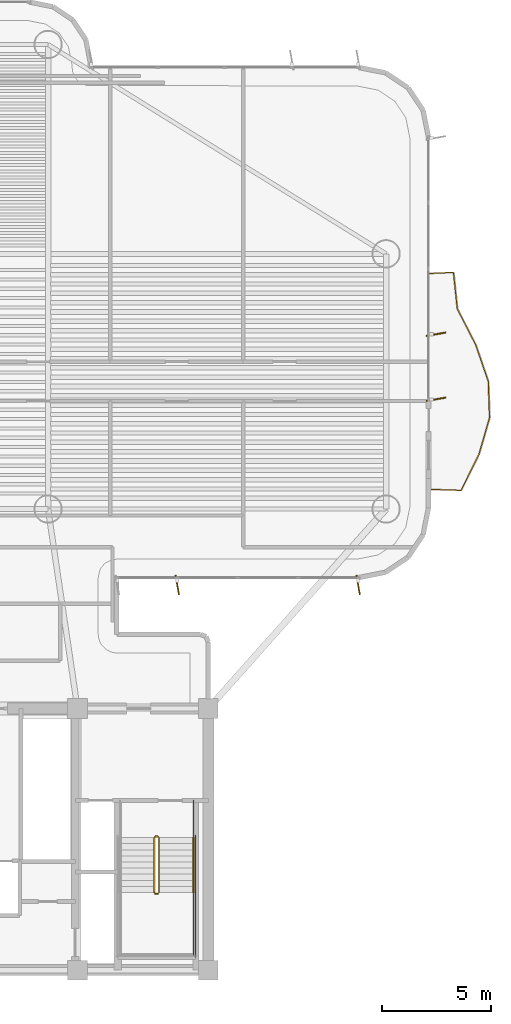
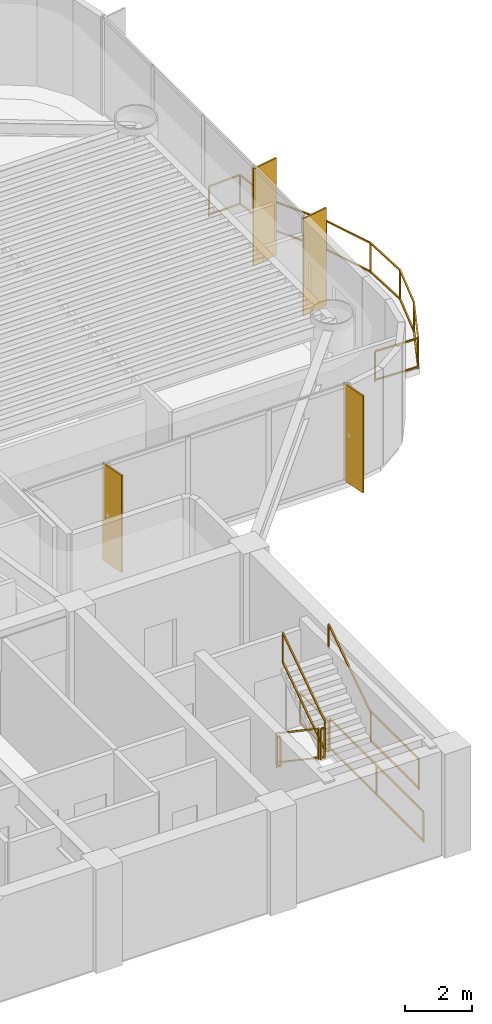
# One storey, part 15 of 16: 9 railings, 4 shading devices.
"""IFC4 building model written with IfcOpenShell, lengths in metres."""

from ifc_helpers import new_model, si_unit, direction, frame, origin, origin_2d, place, context, subcontext, project, spatial, rectangle, extrude, source, transform, mapped, material, layer, layer_set, material_profile, profile_set, type_object, element, save


model = new_model("IFC4")

# Units and contexts
model_context = context("Model", 3, precision=1e-05, world=origin(), true_north=direction((0.0, 1.0)))
body_context = subcontext(model_context, "Body", "Model", "MODEL_VIEW")
ifc_project = project(units=[si_unit("LENGTHUNIT", "METRE"), si_unit("AREAUNIT", "SQUARE_METRE"), si_unit("VOLUMEUNIT", "CUBIC_METRE"), si_unit("PLANEANGLEUNIT", "RADIAN"), si_unit("MASSUNIT", "GRAM", prefix="KILO")], contexts=[model_context])

# Site, building, storey
site_placement = place(None, origin())
site = spatial("IfcSite", under=ifc_project, at=site_placement, CompositionType="ELEMENT")
building_placement = place(site_placement, origin())
building = spatial("IfcBuilding", under=site, at=building_placement, Name="Brelvock Crest Care Tower", CompositionType="ELEMENT")
storey_placement = place(building_placement, frame((0.0, 0.0, 116.280029296875)))
storey = spatial("IfcBuildingStorey", under=building, at=storey_placement, Name="L29", CompositionType="ELEMENT", Elevation=116.280029296875)

# Railings
ifc_material_1 = material(Name="Dark Glass Double Glazed Low-E", Category="glass")
ifc_layer_1 = layer(ifc_material_1, 0.06005859375, Name="RL-BAL1")
ifc_layer_set_1 = layer_set([ifc_layer_1], Name="Dark Glass Double Glazed Low-E")
railing_type_1 = type_object("IfcRailingType", Name="RL-BAL1", PredefinedType="BALUSTRADE", material=ifc_layer_set_1)
railing_1_placement = place(storey_placement, frame((58.139892578125, 28.050048828125, 0.00390625)))
element("IfcRailing", 1, at=railing_1_placement, inside=storey, type_object=railing_type_1, Name="L29 Safety Balustrade WB-E", PredefinedType="BALUSTRADE", context=body_context, shape_type="SweptSolid", body=[
    extrude(rectangle(XDim=0.048095703125, YDim=0.048095703125, at=origin_2d()), frame((0.001953125, 0.0, 1.09619140625), z_axis=(0.999404999824, -0.034491249994, 0.0), x_axis=(0.034491249994, 0.999404999824, 0.0)), (0.0, 0.0, 1.0), 1.447021484375),
    extrude(rectangle(XDim=0.048095703125, YDim=0.048095703125, at=origin_2d()), frame((0.001953125, 0.0, 0.054931640625), z_axis=(0.999404999824, -0.034491249994, 0.0), x_axis=(0.034491249994, 0.999404999824, 0.0)), (0.0, 0.0, 1.0), 1.447021484375),
    extrude(rectangle(XDim=0.048095703125, YDim=0.048095703125, at=origin_2d()), frame((1.451171875, -0.04833984375, 1.09619140625), z_axis=(0.442214310765, 0.896909417586, 0.0), x_axis=(-0.896909417586, 0.442214310765, 0.0)), (0.0, 0.0, 1.0), 1.854248046875),
    extrude(rectangle(XDim=0.048095703125, YDim=0.048095703125, at=origin_2d()), frame((1.451171875, -0.04833984375, 0.054931640625), z_axis=(0.442214310765, 0.896909417586, 0.0), x_axis=(-0.896909417586, 0.442214310765, 0.0)), (0.0, 0.0, 1.0), 1.854248046875),
    extrude(rectangle(XDim=0.048095703125, YDim=0.048095703125, at=origin_2d()), frame((2.2724609375, 1.61865234375, 1.09619140625), z_axis=(0.277935062116, 0.960599865317, 0.0), x_axis=(-0.960599865317, 0.277935062116, 0.0)), (0.0, 0.0, 1.0), 1.73095703125),
    extrude(rectangle(XDim=0.048095703125, YDim=0.048095703125, at=origin_2d()), frame((2.2724609375, 1.61865234375, 0.054931640625), z_axis=(0.277935062116, 0.960599865317, 0.0), x_axis=(-0.960599865317, 0.277935062116, 0.0)), (0.0, 0.0, 1.0), 1.73095703125),
    extrude(rectangle(XDim=0.048095703125, YDim=0.048095703125, at=origin_2d()), frame((2.754150390625, 3.28515625, 1.09619140625), z_axis=(-0.034109333385, 0.999418107388, 0.0), x_axis=(-0.999418107388, -0.034109333385, 0.0)), (0.0, 0.0, 1.0), 1.663818359375),
    extrude(rectangle(XDim=0.048095703125, YDim=0.048095703125, at=origin_2d()), frame((2.754150390625, 3.28515625, 0.054931640625), z_axis=(-0.034109333385, 0.999418107388, 0.0), x_axis=(-0.999418107388, -0.034109333385, 0.0)), (0.0, 0.0, 1.0), 1.663818359375),
    extrude(rectangle(XDim=0.048095703125, YDim=0.048095703125, at=origin_2d()), frame((2.696533203125, 4.951904296875, 1.09619140625), z_axis=(-0.324735154132, 0.945804990297, 0.0), x_axis=(-0.945804990297, -0.324735154132, 0.0)), (0.0, 0.0, 1.0), 1.75830078125),
    extrude(rectangle(XDim=0.048095703125, YDim=0.048095703125, at=origin_2d()), frame((2.696533203125, 4.951904296875, 0.054931640625), z_axis=(-0.324735154132, 0.945804990297, 0.0), x_axis=(-0.945804990297, -0.324735154132, 0.0)), (0.0, 0.0, 1.0), 1.75830078125),
    extrude(rectangle(XDim=0.048095703125, YDim=0.048095703125, at=origin_2d()), frame((2.1240234375, 6.618408203125, 1.09619140625), z_axis=(-0.454816788854, 0.890585026023, 0.0), x_axis=(-0.890585026023, -0.454816788854, 0.0)), (0.0, 0.0, 1.0), 1.8671875),
    extrude(rectangle(XDim=0.048095703125, YDim=0.048095703125, at=origin_2d()), frame((2.1240234375, 6.618408203125, 0.054931640625), z_axis=(-0.454816788854, 0.890585026023, 0.0), x_axis=(-0.890585026023, -0.454816788854, 0.0)), (0.0, 0.0, 1.0), 1.8671875),
    extrude(rectangle(XDim=0.048095703125, YDim=0.048095703125, at=origin_2d()), frame((1.273681640625, 8.28515625, 1.09619140625), z_axis=(-0.103729188721, 0.994605577808, 0.0), x_axis=(-0.994605577808, -0.103729188721, 0.0)), (0.0, 0.0, 1.0), 1.671875),
    extrude(rectangle(XDim=0.048095703125, YDim=0.048095703125, at=origin_2d()), frame((1.273681640625, 8.28515625, 0.054931640625), z_axis=(-0.103729188721, 0.994605577808, 0.0), x_axis=(-0.994605577808, -0.103729188721, 0.0)), (0.0, 0.0, 1.0), 1.671875),
    extrude(rectangle(XDim=0.048095703125, YDim=0.048095703125, at=origin_2d()), frame((1.09814453125, 9.949951171875, 1.09619140625), z_axis=(-0.998966710972, -0.045447886318, 0.0), x_axis=(0.045447886318, -0.998966710972, 0.0)), (0.0, 0.0, 1.0), 1.09716796875),
    extrude(rectangle(XDim=0.048095703125, YDim=0.048095703125, at=origin_2d()), frame((1.09814453125, 9.949951171875, 0.054931640625), z_axis=(-0.998966710972, -0.045447886318, 0.0), x_axis=(0.045447886318, -0.998966710972, 0.0)), (0.0, 0.0, 1.0), 1.09716796875),
    extrude(rectangle(XDim=0.0419921875, YDim=0.0419921875, at=origin_2d()), origin(), (0.0, 0.0, 1.0), 1.070068359375),
    extrude(rectangle(XDim=0.0419921875, YDim=0.0419921875, at=origin_2d()), frame((1.4501953125, -0.050048828125, 0.0)), (0.0, 0.0, 1.0), 1.070068359375),
    extrude(rectangle(XDim=0.0419921875, YDim=0.0419921875, at=origin_2d()), frame((2.27197265625, 1.61669921875, 0.0)), (0.0, 0.0, 1.0), 1.070068359375),
    extrude(rectangle(XDim=0.0419921875, YDim=0.0419921875, at=origin_2d()), frame((2.754150390625, 3.283203125, 0.0)), (0.0, 0.0, 1.0), 1.070068359375),
    extrude(rectangle(XDim=0.0419921875, YDim=0.0419921875, at=origin_2d()), frame((2.697265625, 4.949951171875, 0.0)), (0.0, 0.0, 1.0), 1.070068359375),
    extrude(rectangle(XDim=0.0419921875, YDim=0.0419921875, at=origin_2d()), frame((2.125, 6.61669921875, 0.0)), (0.0, 0.0, 1.0), 1.070068359375),
    extrude(rectangle(XDim=0.0419921875, YDim=0.0419921875, at=origin_2d()), frame((1.27392578125, 8.283203125, 0.0)), (0.0, 0.0, 1.0), 1.070068359375),
    extrude(rectangle(XDim=0.0419921875, YDim=0.0419921875, at=origin_2d()), frame((1.10009765625, 9.949951171875, 0.0)), (0.0, 0.0, 1.0), 1.070068359375),
    extrude(rectangle(XDim=0.0419921875, YDim=0.0419921875, at=origin_2d()), frame((0.0, 9.89990234375, 0.0)), (0.0, 0.0, 1.0), 1.070068359375),
])
ifc_material_2 = material(Name="Steel Grade 350", Category="steel")
ifc_layer_2 = layer(ifc_material_2, 0.050048828125, Name="RL-STG1")
ifc_layer_set_2 = layer_set([ifc_layer_2], Name="Steel Grade 350")
railing_type_2 = type_object("IfcRailingType", Name="RL-STG1", PredefinedType="GUARDRAIL", material=ifc_layer_set_2)
railing_2_placement = place(storey_placement, frame((45.52001953125, 12.080078125, 0.18896484375)))
element("IfcRailing", 2, at=railing_2_placement, inside=storey, type_object=railing_type_2, Name="L29 ST-2 stair guard 1", PredefinedType="GUARDRAIL", context=body_context, shape_type="SweptSolid", body=[
    extrude(rectangle(XDim=0.048095703125, YDim=0.048095703125, at=origin_2d()), frame((0.0, -0.001708984375, 1.116943359375), z_axis=(0.0, -0.828861706735, 0.559453546873), x_axis=(1.0, 0.0, 0.0)), (0.0, 0.0, 1.0), 3.036376953125),
    extrude(rectangle(XDim=0.048095703125, YDim=0.048095703125, at=origin_2d()), frame((0.0, -0.001708984375, 0.05615234375), z_axis=(0.0, -0.828861706735, 0.559453546873), x_axis=(1.0, 0.0, 0.0)), (0.0, 0.0, 1.0), 3.036376953125),
    extrude(rectangle(XDim=0.0419921875, YDim=0.0419921875, at=origin_2d()), origin(), (0.0, 0.0, 1.0), 1.08984375),
    extrude(rectangle(XDim=0.0419921875, YDim=0.0419921875, at=origin_2d()), frame((0.0, -2.52001953125, 1.700927734375)), (0.0, 0.0, 1.0), 1.08984375),
])
railing_3_placement = place(storey_placement, frame((45.570068359375, 9.510009765625, 1.889892578125)))
element("IfcRailing", 3, at=railing_3_placement, inside=storey, type_object=railing_type_2, Name="L29 ST-2 stair guard 2", PredefinedType="GUARDRAIL", context=body_context, shape_type="SweptSolid", body=[
    extrude(rectangle(XDim=0.048095703125, YDim=0.048095703125, at=origin_2d()), frame((0.001953125, 0.0, 1.11572265625), z_axis=(1.0, 0.0, 0.0), x_axis=(0.0, 1.0, 0.0)), (0.0, 0.0, 1.0), 0.115966796875),
    extrude(rectangle(XDim=0.048095703125, YDim=0.048095703125, at=origin_2d()), frame((0.001953125, 0.0, 0.054931640625), z_axis=(1.0, 0.0, 0.0), x_axis=(0.0, 1.0, 0.0)), (0.0, 0.0, 1.0), 0.115966796875),
    extrude(rectangle(XDim=0.0419921875, YDim=0.0419921875, at=origin_2d()), origin(), (0.0, 0.0, 1.0), 1.08984375),
    extrude(rectangle(XDim=0.0419921875, YDim=0.0419921875, at=origin_2d()), frame((0.119873046875, 0.0, 0.0)), (0.0, 0.0, 1.0), 1.08984375),
])
railing_4_placement = place(storey_placement, frame((47.320068359375, 9.56005859375, 1.889892578125)))
element("IfcRailing", 4, at=railing_4_placement, inside=storey, type_object=railing_type_2, Name="L29 ST-2 stair guard 4", PredefinedType="GUARDRAIL", context=body_context, shape_type="SweptSolid", body=[
    extrude(rectangle(XDim=0.048095703125, YDim=0.048095703125, at=origin_2d()), frame((0.0, -0.001953125, 1.11572265625), z_axis=(0.0, -1.0, 0.0), x_axis=(1.0, 0.0, 0.0)), (0.0, 0.0, 1.0), 2.856201171875),
    extrude(rectangle(XDim=0.048095703125, YDim=0.048095703125, at=origin_2d()), frame((0.0, -0.001953125, 0.054931640625), z_axis=(0.0, -1.0, 0.0), x_axis=(1.0, 0.0, 0.0)), (0.0, 0.0, 1.0), 2.856201171875),
    extrude(rectangle(XDim=0.0419921875, YDim=0.0419921875, at=origin_2d()), origin(), (0.0, 0.0, 1.0), 1.08984375),
    extrude(rectangle(XDim=0.0419921875, YDim=0.0419921875, at=origin_2d()), frame((0.0, -2.860107421875, 0.0)), (0.0, 0.0, 1.0), 1.08984375),
])
railing_5_placement = place(storey_placement, frame((45.739990234375, 9.56005859375, 2.078857421875)))
element("IfcRailing", 5, at=railing_5_placement, inside=storey, type_object=railing_type_2, Name="L29 ST-2 stair guard 6", PredefinedType="GUARDRAIL", context=body_context, shape_type="SweptSolid", body=[
    extrude(rectangle(XDim=0.048095703125, YDim=0.048095703125, at=origin_2d()), frame((0.0, 0.001708984375, 1.116943359375), z_axis=(0.0, 0.82882447046, 0.559508710537), x_axis=(-1.0, 0.0, 0.0)), (0.0, 0.0, 1.0), 3.036376953125),
    extrude(rectangle(XDim=0.048095703125, YDim=0.048095703125, at=origin_2d()), frame((0.0, 0.001708984375, 0.05615234375), z_axis=(0.0, 0.82882447046, 0.559508710537), x_axis=(-1.0, 0.0, 0.0)), (0.0, 0.0, 1.0), 3.036376953125),
    extrude(rectangle(XDim=0.0419921875, YDim=0.0419921875, at=origin_2d()), origin(), (0.0, 0.0, 1.0), 1.08984375),
    extrude(rectangle(XDim=0.0419921875, YDim=0.0419921875, at=origin_2d()), frame((0.0, 2.52001953125, 1.701171875)), (0.0, 0.0, 1.0), 1.08984375),
])
railing_6_placement = place(storey_placement, frame((45.570068359375, 12.1298828125, 0.0)))
element("IfcRailing", 6, at=railing_6_placement, inside=storey, type_object=railing_type_2, Name="L29 ST-2 stair guard 7", PredefinedType="GUARDRAIL", context=body_context, shape_type="SweptSolid", body=[
    extrude(rectangle(XDim=0.048095703125, YDim=0.048095703125, at=origin_2d()), frame((0.001953125, 0.0, 1.11572265625), z_axis=(1.0, 0.0, 0.0), x_axis=(0.0, 1.0, 0.0)), (0.0, 0.0, 1.0), 0.115966796875),
    extrude(rectangle(XDim=0.048095703125, YDim=0.048095703125, at=origin_2d()), frame((0.001953125, 0.0, 0.054931640625), z_axis=(1.0, 0.0, 0.0), x_axis=(0.0, 1.0, 0.0)), (0.0, 0.0, 1.0), 0.115966796875),
    extrude(rectangle(XDim=0.0419921875, YDim=0.0419921875, at=origin_2d()), origin(), (0.0, 0.0, 1.0), 1.08984375),
    extrude(rectangle(XDim=0.0419921875, YDim=0.0419921875, at=origin_2d()), frame((0.119873046875, 0.0, 0.0)), (0.0, 0.0, 1.0), 1.08984375),
])
railing_7_placement = place(storey_placement, frame((47.320068359375, 13.780029296875, 0.0)))
element("IfcRailing", 7, at=railing_7_placement, inside=storey, type_object=railing_type_2, Name="L29 ST-2 stair guard 9", PredefinedType="GUARDRAIL", context=body_context, shape_type="SweptSolid", body=[
    extrude(rectangle(XDim=0.048095703125, YDim=0.048095703125, at=origin_2d()), frame((0.0, -0.001953125, 1.11572265625), z_axis=(0.0, -1.0, 0.0), x_axis=(1.0, 0.0, 0.0)), (0.0, 0.0, 1.0), 1.696044921875),
    extrude(rectangle(XDim=0.048095703125, YDim=0.048095703125, at=origin_2d()), frame((0.0, -0.001953125, 0.054931640625), z_axis=(0.0, -1.0, 0.0), x_axis=(1.0, 0.0, 0.0)), (0.0, 0.0, 1.0), 1.696044921875),
    extrude(rectangle(XDim=0.0419921875, YDim=0.0419921875, at=origin_2d()), origin(), (0.0, 0.0, 1.0), 1.08984375),
    extrude(rectangle(XDim=0.0419921875, YDim=0.0419921875, at=origin_2d()), frame((0.0, -1.699951171875, 0.0)), (0.0, 0.0, 1.0), 1.08984375),
])
railing_8_placement = place(storey_placement, frame((47.419921875, 12.179931640625, 0.0)))
element("IfcRailing", 8, at=railing_8_placement, inside=storey, type_object=railing_type_2, Name="L29 ST-2 stair guard 11", PredefinedType="GUARDRAIL", context=body_context, shape_type="SweptSolid", body=[
    extrude(rectangle(XDim=0.048095703125, YDim=0.048095703125, at=origin_2d()), frame((0.0, -0.001953125, 1.11572265625), z_axis=(0.0, -1.0, 0.0), x_axis=(1.0, 0.0, 0.0)), (0.0, 0.0, 1.0), 5.575927734375),
    extrude(rectangle(XDim=0.048095703125, YDim=0.048095703125, at=origin_2d()), frame((0.0, -0.001953125, 0.054931640625), z_axis=(0.0, -1.0, 0.0), x_axis=(1.0, 0.0, 0.0)), (0.0, 0.0, 1.0), 5.575927734375),
    extrude(rectangle(XDim=0.0419921875, YDim=0.0419921875, at=origin_2d()), origin(), (0.0, 0.0, 1.0), 1.08984375),
    extrude(rectangle(XDim=0.0419921875, YDim=0.0419921875, at=origin_2d()), frame((0.0, -2.7900390625, 0.0)), (0.0, 0.0, 1.0), 1.08984375),
    extrude(rectangle(XDim=0.0419921875, YDim=0.0419921875, at=origin_2d()), frame((0.0, -5.579833984375, 0.0)), (0.0, 0.0, 1.0), 1.08984375),
])
ifc_layer_3 = layer(ifc_material_2, 0.048095703125, Name="RL-STH1")
ifc_layer_set_3 = layer_set([ifc_layer_3], Name="Steel Grade 350")
railing_type_3 = type_object("IfcRailingType", Name="RL-STH1", PredefinedType="HANDRAIL", material=ifc_layer_set_3)
railing_9_placement = place(storey_placement, frame((47.320068359375, 9.56005859375, 2.078857421875)))
element("IfcRailing", 9, at=railing_9_placement, inside=storey, type_object=railing_type_3, Name="L29 ST-2 stair handrail 2", PredefinedType="HANDRAIL", context=body_context, shape_type="SweptSolid", body=[
    extrude(rectangle(XDim=0.048095703125, YDim=0.048095703125, at=origin_2d()), frame((0.0, 0.001708984375, 0.876953125), z_axis=(0.0, 0.82882447046, 0.559508710537), x_axis=(-1.0, 0.0, 0.0)), (0.0, 0.0, 1.0), 3.036376953125),
    extrude(rectangle(XDim=0.0419921875, YDim=0.0419921875, at=origin_2d()), origin(), (0.0, 0.0, 1.0), 0.849853515625),
    extrude(rectangle(XDim=0.0419921875, YDim=0.0419921875, at=origin_2d()), frame((0.0, 2.52001953125, 1.701171875)), (0.0, 0.0, 1.0), 0.849853515625),
])

# Shading devices
ifc_material_3 = material(Name="Aluminium 6063-T6", Category="aluminium")
ifc_material_profile = material_profile(ifc_material_3, rectangle(XDim=0.054931640625, YDim=0.89990234375, at=origin_2d()), Name="FIN55x900")
ifc_profile_set = profile_set([ifc_material_profile], Name="Aluminium 6063-T6")
shading_device_type = type_object("IfcShadingDeviceType", Name="SHD-FIN1", PredefinedType="USERDEFINED", material=ifc_profile_set)
shared_shape = source(origin(), body_context, "Body", "SweptSolid", [
    extrude(rectangle(XDim=0.054931640625, YDim=0.89990234375, at=origin_2d()), origin(), (0.0, 0.0, 1.0), 3.530029296875),
])
for number, where, z_axis, x_axis, name in (
    (10, (58.43994140625, 35.16259765625, 0.0), (0.0, 0.0, 1.0), (0.173648177667, -0.984807753012, 0.0), "L29 Vertical Sunshade Fin E39A-04"),
    (11, (58.43994140625, 32.179931640625, 0.0), (0.0, 0.0, 1.0), (0.173648177667, -0.984807753012, 0.0), "L29 Vertical Sunshade Fin E39A-05"),
    (12, (54.8701171875, 23.659912109375, 0.0), (0.0, 0.0, 1.0), (-0.984807753012, -0.173648177667, 0.0), "L29 Vertical Sunshade Fin E44-01"),
    (13, (46.574951171875, 23.659912109375, 0.0), (0.0, 0.0, 1.0), (-0.984807753012, -0.173648177667, 0.0), "L29 Vertical Sunshade Fin E44-04"),
):
    element("IfcShadingDevice", number, at=place(storey_placement, frame(where, z_axis=z_axis, x_axis=x_axis)), inside=storey, type_object=shading_device_type, Name=name, ObjectType="FIN", PredefinedType="USERDEFINED", context=body_context, shape_type="MappedRepresentation", body=[
        mapped(shared_shape, transform((0.0, 0.0, 0.0), x_axis=(1.0, 0.0, 0.0), y_axis=(0.0, 1.0, 0.0), z_axis=(0.0, 0.0, 1.0), scale=1.0)),
    ])

save(model, "model.ifc")
